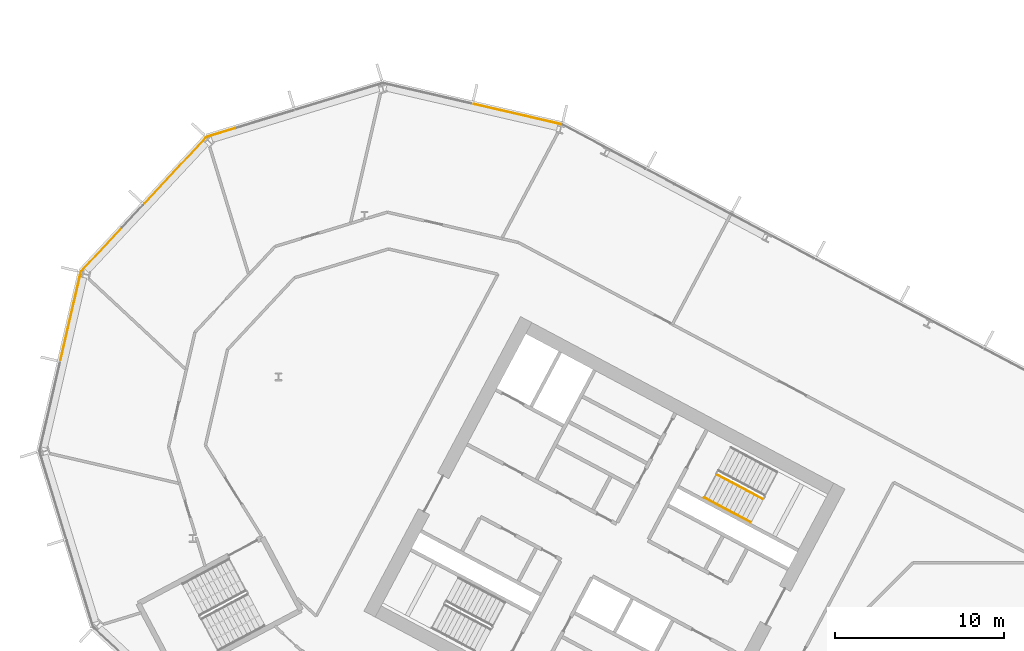
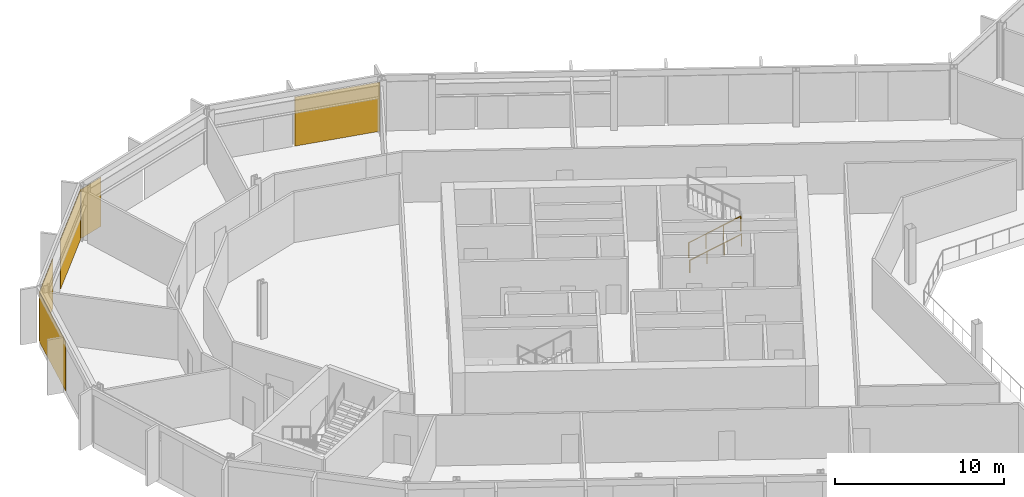
# One storey, part 27 of 34: 5 coverings, 2 railings, 4 elements without a shape of their own.
"""IFC4 building model written with IfcOpenShell, lengths in metres."""

from ifc_helpers import new_model, si_unit, direction, frame, origin, origin_2d, place, context, subcontext, project, spatial, polyline, rectangle, outline, extrude, material, layer, layer_set, type_object, element, aggregate, save


model = new_model("IFC4")

# Units and contexts
model_context = context("Model", 3, precision=1e-05, world=origin(), true_north=direction((0.0, 1.0)))
body_context = subcontext(model_context, "Body", "Model", "MODEL_VIEW")
ifc_project = project(units=[si_unit("LENGTHUNIT", "METRE"), si_unit("AREAUNIT", "SQUARE_METRE"), si_unit("VOLUMEUNIT", "CUBIC_METRE"), si_unit("PLANEANGLEUNIT", "RADIAN"), si_unit("MASSUNIT", "GRAM", prefix="KILO")], contexts=[model_context])

# Site, building, storey
site_placement = place(None, origin())
site = spatial("IfcSite", under=ifc_project, at=site_placement, CompositionType="ELEMENT")
building_placement = place(site_placement, origin())
building = spatial("IfcBuilding", under=site, at=building_placement, Name="Cormorant Relay Tower", CompositionType="ELEMENT")
storey_placement = place(building_placement, frame((0.0, 0.0, 118.199951171875)))
storey = spatial("IfcBuildingStorey", under=building, at=storey_placement, Name="L23", CompositionType="ELEMENT", Elevation=118.199951171875)

# Curtain wall, covering
ifc_material_1 = material(Name="Aluminium 6063-T6 anodised bronze", Category="aluminium")
ifc_layer_1 = layer(ifc_material_1, 0.199951171875)
ifc_layer_set_1 = layer_set([ifc_layer_1], Name="CW1 unitised bronze curtain wall with vertical fins")
curtain_wall_type = type_object("IfcCurtainWallType", Name="CW1 unitised bronze curtain wall with vertical fins", PredefinedType="NOTDEFINED", material=ifc_layer_set_1)
curtain_wall_1_placement = place(storey_placement, origin())
curtain_wall_1 = element("IfcCurtainWall", 1, at=curtain_wall_1_placement, inside=storey, type_object=curtain_wall_type, Name="CW1 curtain wall 10", PredefinedType="NOTDEFINED")
ifc_material_2 = material(Name="Pale bronze anodised aluminium insulated panel", Category="aluminium")
ifc_layer_2 = layer(ifc_material_2, 0.0400390625)
ifc_layer_set_2 = layer_set([ifc_layer_2], Name="CW1 pale bronze insulated panel 40")
covering_type = type_object("IfcCoveringType", Name="CW1 pale bronze insulated panel 40", PredefinedType="CLADDING", material=ifc_layer_set_2)
covering_1_placement = place(storey_placement, frame((-32.51708984375, 40.298828125, 0.0), z_axis=(0.0, 0.0, 1.0), x_axis=(-0.974370064785, 0.224951054344, 0.0)))
covering_1 = element("IfcCovering", 2, at=covering_1_placement, type_object=covering_type, Name="CW1 panel S00", PredefinedType="CLADDING", context=body_context, shape_type="SweptSolid", body=[
    extrude(rectangle(XDim=5.28515625, YDim=0.0400390625, at=origin_2d()), origin(), (0.0, 0.0, 1.0), 3.550048828125),
])
aggregate(curtain_wall_1, [covering_1])

curtain_wall_2_placement = place(storey_placement, origin())
curtain_wall_2 = element("IfcCurtainWall", 3, at=curtain_wall_2_placement, inside=storey, type_object=curtain_wall_type, Name="CW1 curtain wall 11", PredefinedType="NOTDEFINED")
covering_2_placement = place(storey_placement, frame((-50.025146484375, 39.211669921875, 0.0), z_axis=(0.0, 0.0, 1.0), x_axis=(-0.956304755963, -0.292371704723, 0.0)))
covering_2 = element("IfcCovering", 4, at=covering_2_placement, type_object=covering_type, Name="CW1 panel S02", PredefinedType="CLADDING", context=body_context, shape_type="SweptSolid", body=[
    extrude(rectangle(XDim=1.76025390625, YDim=0.0400390625, at=origin_2d()), origin(), (0.0, 0.0, 1.0), 3.550048828125),
])
aggregate(curtain_wall_2, [covering_2])

# Curtain wall, coverings
curtain_wall_3_placement = place(storey_placement, origin())
curtain_wall_3 = element("IfcCurtainWall", 5, at=curtain_wall_3_placement, inside=storey, type_object=curtain_wall_type, Name="CW1 curtain wall 12", PredefinedType="NOTDEFINED")
covering_3_placement = place(storey_placement, frame((-52.72900390625, 36.961181640625, 0.0), z_axis=(0.0, 0.0, 1.0), x_axis=(-0.681998360062, -0.731353701619, 0.0)))
covering_3 = element("IfcCovering", 6, at=covering_3_placement, type_object=covering_type, Name="CW1 panel S00", PredefinedType="CLADDING", context=body_context, shape_type="SweptSolid", body=[
    extrude(rectangle(XDim=5.28515625, YDim=0.0400390625, at=origin_2d()), origin(), (0.0, 0.0, 1.0), 3.550048828125),
])
covering_4_placement = place(storey_placement, frame((-57.0751953125, 32.300537109375, 0.0), z_axis=(0.0, 0.0, 1.0), x_axis=(-0.681998360062, -0.731353701619, 0.0)))
covering_4 = element("IfcCovering", 7, at=covering_4_placement, type_object=covering_type, Name="CW1 panel S02", PredefinedType="CLADDING", context=body_context, shape_type="SweptSolid", body=[
    extrude(rectangle(XDim=3.560302734375, YDim=0.0400390625, at=origin_2d()), origin(), (0.0, 0.0, 1.0), 3.550048828125),
])
aggregate(curtain_wall_3, [covering_3, covering_4])

# Curtain wall, covering
curtain_wall_4_placement = place(storey_placement, origin())
curtain_wall_4 = element("IfcCurtainWall", 8, at=curtain_wall_4_placement, inside=storey, type_object=curtain_wall_type, Name="CW1 curtain wall 13", PredefinedType="NOTDEFINED")
covering_5_placement = place(storey_placement, frame((-58.905517578125, 28.341796875, 0.0), z_axis=(0.0, 0.0, 1.0), x_axis=(-0.224951054344, -0.974370064785, 0.0)))
covering_5 = element("IfcCovering", 9, at=covering_5_placement, type_object=covering_type, Name="CW1 panel S00", PredefinedType="CLADDING", context=body_context, shape_type="SweptSolid", body=[
    extrude(rectangle(XDim=5.28515625, YDim=0.0400390625, at=origin_2d()), origin(), (0.0, 0.0, 1.0), 3.550048828125),
])
aggregate(curtain_wall_4, [covering_5])

# Railings
ifc_material_3 = material(Name="Steel ASTM A572 Grade 50 (Fy 345 MPa)", Category="steel")
railing_type_1 = type_object("IfcRailingType", Name="Stair guard 1100", PredefinedType="GUARDRAIL", material=ifc_material_3)
railing_1_placement = place(storey_placement, frame((-20.75048828125, 19.017822265625, 0.166748046875)))
element("IfcRailing", 10, at=railing_1_placement, inside=storey, type_object=railing_type_1, Name="L23 A1 stair guard 1", PredefinedType="GUARDRAIL", context=body_context, shape_type="SweptSolid", body=[
    extrude(outline(polyline([(0.022216796875, 0.00927734375), (0.00927734375, 0.022216796875), (-0.00927734375, 0.022216796875), (-0.022216796875, 0.00927734375), (-0.022216796875, -0.00927734375), (-0.00927734375, -0.022216796875), (0.00927734375, -0.022216796875), (0.022216796875, -0.00927734375), (0.022216796875, 0.00927734375)])), frame((0.0, 0.0, 1.076171875), z_axis=(0.758734504837, -0.403377838015, 0.511476559549), x_axis=(0.469427602063, 0.882970965786, 0.0)), (0.0, 0.0, 1.0), 3.584228515625),
    extrude(outline(polyline([(0.019287109375, 0.008056640625), (0.008056640625, 0.019287109375), (-0.008056640625, 0.019287109375), (-0.019287109375, 0.008056640625), (-0.019287109375, -0.008056640625), (-0.008056640625, -0.019287109375), (0.008056640625, -0.019287109375), (0.019287109375, -0.008056640625), (0.019287109375, 0.008056640625)])), origin(), (0.0, 0.0, 1.0), 1.052001953125),
    extrude(outline(polyline([(0.019287109375, 0.008056640625), (0.008056640625, 0.019287109375), (-0.008056640625, 0.019287109375), (-0.019287109375, 0.008056640625), (-0.019287109375, -0.008056640625), (-0.008056640625, -0.019287109375), (0.008056640625, -0.019287109375), (0.019287109375, -0.008056640625), (0.019287109375, 0.008056640625)])), frame((0.906494140625, -0.48193359375, 0.611083984375)), (0.0, 0.0, 1.0), 1.052001953125),
    extrude(outline(polyline([(0.019287109375, 0.008056640625), (0.008056640625, 0.019287109375), (-0.008056640625, 0.019287109375), (-0.019287109375, 0.008056640625), (-0.019287109375, -0.008056640625), (-0.008056640625, -0.019287109375), (0.008056640625, -0.019287109375), (0.019287109375, -0.008056640625), (0.019287109375, 0.008056640625)])), frame((1.81298828125, -0.9638671875, 1.22216796875)), (0.0, 0.0, 1.0), 1.052001953125),
    extrude(outline(polyline([(0.019287109375, 0.008056640625), (0.008056640625, 0.019287109375), (-0.008056640625, 0.019287109375), (-0.019287109375, 0.008056640625), (-0.019287109375, -0.008056640625), (-0.008056640625, -0.019287109375), (0.008056640625, -0.019287109375), (0.019287109375, -0.008056640625), (0.019287109375, 0.008056640625)])), frame((2.719482421875, -1.44580078125, 1.833251953125)), (0.0, 0.0, 1.0), 1.052001953125),
])
ifc_material_4 = material(Name="Steel ASTM A572 Grade 50 (Fy 345 MPa)", Category="steel")
railing_type_2 = type_object("IfcRailingType", Name="Stair handrail 900", PredefinedType="HANDRAIL", material=ifc_material_4)
railing_2_placement = place(storey_placement, frame((-21.478271484375, 17.6494140625, 0.166748046875)))
element("IfcRailing", 11, at=railing_2_placement, inside=storey, type_object=railing_type_2, Name="L23 A1 stair handrail 1", PredefinedType="HANDRAIL", context=body_context, shape_type="SweptSolid", body=[
    extrude(outline(polyline([(0.022216796875, 0.00927734375), (0.00927734375, 0.022216796875), (-0.00927734375, 0.022216796875), (-0.022216796875, 0.00927734375), (-0.022216796875, -0.00927734375), (-0.00927734375, -0.022216796875), (0.00927734375, -0.022216796875), (0.022216796875, -0.00927734375), (0.022216796875, 0.00927734375)])), frame((0.0, 0.0, 0.8759765625), z_axis=(0.758713656843, -0.403434867536, 0.511462505542), x_axis=(0.469489399267, 0.882938108802, 0.0)), (0.0, 0.0, 1.0), 3.584228515625),
    extrude(outline(polyline([(0.019287109375, 0.008056640625), (0.008056640625, 0.019287109375), (-0.008056640625, 0.019287109375), (-0.019287109375, 0.008056640625), (-0.019287109375, -0.008056640625), (-0.008056640625, -0.019287109375), (0.008056640625, -0.019287109375), (0.019287109375, -0.008056640625), (0.019287109375, 0.008056640625)])), origin(), (0.0, 0.0, 1.0), 0.851806640625),
    extrude(outline(polyline([(0.019287109375, 0.008056640625), (0.008056640625, 0.019287109375), (-0.008056640625, 0.019287109375), (-0.019287109375, 0.008056640625), (-0.019287109375, -0.008056640625), (-0.008056640625, -0.019287109375), (0.008056640625, -0.019287109375), (0.019287109375, -0.008056640625), (0.019287109375, 0.008056640625)])), frame((0.906494140625, -0.48193359375, 0.611083984375)), (0.0, 0.0, 1.0), 0.851806640625),
    extrude(outline(polyline([(0.019287109375, 0.008056640625), (0.008056640625, 0.019287109375), (-0.008056640625, 0.019287109375), (-0.019287109375, 0.008056640625), (-0.019287109375, -0.008056640625), (-0.008056640625, -0.019287109375), (0.008056640625, -0.019287109375), (0.019287109375, -0.008056640625), (0.019287109375, 0.008056640625)])), frame((1.81298828125, -0.964111328125, 1.22216796875)), (0.0, 0.0, 1.0), 0.851806640625),
    extrude(outline(polyline([(0.019287109375, 0.008056640625), (0.008056640625, 0.019287109375), (-0.008056640625, 0.019287109375), (-0.019287109375, 0.008056640625), (-0.019287109375, -0.008056640625), (-0.008056640625, -0.019287109375), (0.008056640625, -0.019287109375), (0.019287109375, -0.008056640625), (0.019287109375, 0.008056640625)])), frame((2.719482421875, -1.446044921875, 1.833251953125)), (0.0, 0.0, 1.0), 0.851806640625),
])

save(model, "model.ifc")
